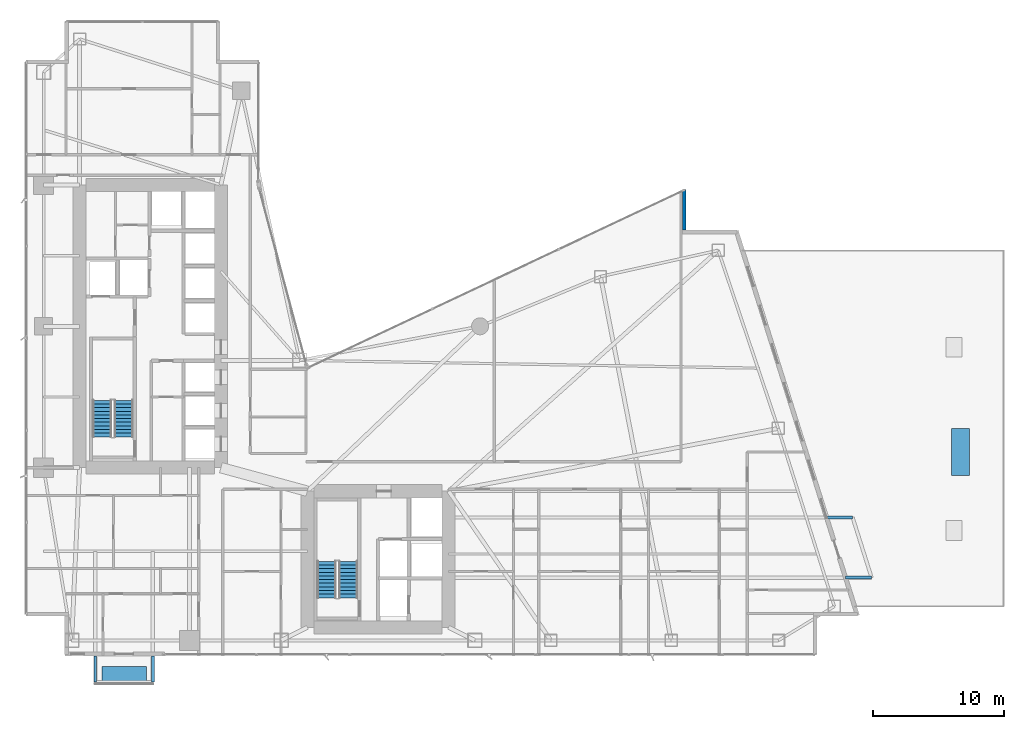
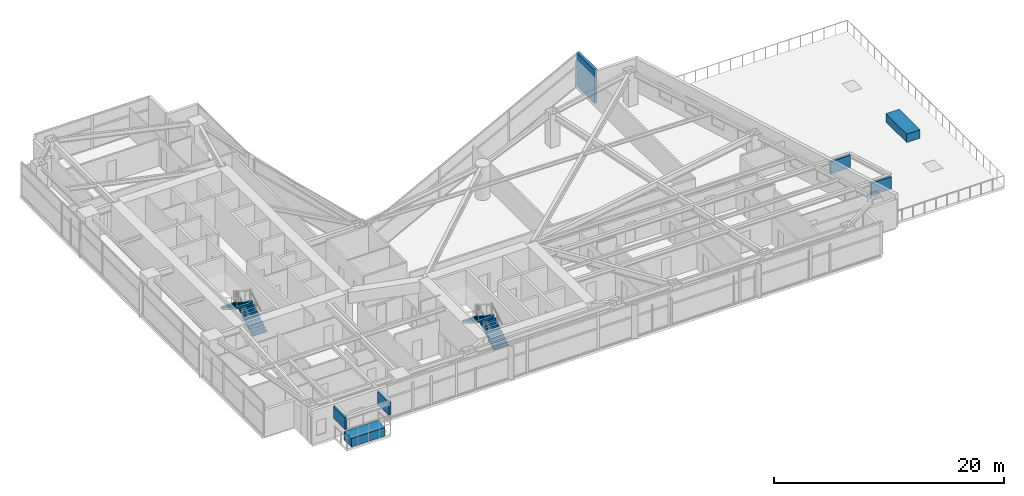
# One storey, part 26 of 30: 6 discrete accessories, 4 stair flights, 1 wall, 2 elements without a shape of their own.
"""IFC4 building model written with IfcOpenShell, lengths in metres."""

import ifcopenshell
import ifcopenshell.guid

model = None  # the IFC model being written
_history = None  # IfcOwnerHistory: only IFC2X3 demands one
_inside = {}  # id of a spatial element -> (the spatial element, [elements in it])
_under = {}  # id of a project, library or spatial element -> (it, [spatial elements below it])
_declared = {}  # id of a project -> (the project, [libraries it declares])
_typed = {}  # id of a type object -> (the type object, [elements of that type])
_made_of = {}  # id of a material, layer set ... -> (it, [elements and type objects made of it])


def new_model(schema):
    """Start an empty IFC model of exactly this schema.

    Asked for "IFC4X3", IfcOpenShell would pick the latest addendum, in which some entities
    have other attributes; the version numbers below select the first issue.
    IFC2X3 requires an IfcOwnerHistory on every rooted entity: one is made here for all.
    """
    global model, _history
    if schema == "IFC4X3":
        model = ifcopenshell.file(schema_version=(4, 3, 0, 0))
    else:
        model = ifcopenshell.file(schema=schema)
    _inside.clear()
    _under.clear()
    _declared.clear()
    _typed.clear()
    _made_of.clear()
    _history = None
    if model.schema == "IFC2X3":
        org = make("IfcOrganization", Name="unknown")
        user = make(
            "IfcPersonAndOrganization",
            ThePerson=make("IfcPerson", FamilyName="unknown"),
            TheOrganization=org,
        )
        app = make(
            "IfcApplication",
            ApplicationDeveloper=org,
            Version="unknown",
            ApplicationFullName="unknown",
            ApplicationIdentifier="unknown",
        )
        _history = make(
            "IfcOwnerHistory",
            OwningUser=user,
            OwningApplication=app,
            ChangeAction="ADDED",
            CreationDate=0,
        )
    return model


def make(cls, **values):
    """One entity of the class cls with the attributes given. An attribute that is None is left unset."""
    return model.create_entity(
        cls, **{name: value for name, value in values.items() if value is not None}
    )


def rooted(cls, **values):
    """An entity with a GlobalId (a new one), such as an element, a storey or a relation."""
    return make(cls, GlobalId=ifcopenshell.guid.new(), OwnerHistory=_history, **values)


def si_unit(unit_type, name, prefix=None):
    """IfcSIUnit, for example si_unit("LENGTHUNIT", "METRE", prefix="MILLI")."""
    return make("IfcSIUnit", UnitType=unit_type, Prefix=prefix, Name=name)


def assignment(units):
    """IfcUnitAssignment: the units of a project."""
    return None if units is None else make("IfcUnitAssignment", Units=units)


def point(xyz):
    """IfcCartesianPoint."""
    return None if xyz is None else make("IfcCartesianPoint", Coordinates=xyz)


def direction(xyz):
    """IfcDirection."""
    return None if xyz is None else make("IfcDirection", DirectionRatios=xyz)


def frame(location, z_axis=None, x_axis=None):
    """IfcAxis2Placement3D, a coordinate frame: its origin and axes. An axis left out is left unset."""
    return make(
        "IfcAxis2Placement3D",
        Location=point(location),
        Axis=direction(z_axis),
        RefDirection=direction(x_axis),
    )


def frame_2d(location, x_axis=None):
    """IfcAxis2Placement2D, a coordinate frame in the plane: its origin and x axis."""
    return make(
        "IfcAxis2Placement2D", Location=point(location), RefDirection=direction(x_axis)
    )


def origin():
    """The frame at (0, 0, 0) with its axes left unset."""
    return frame((0.0, 0.0, 0.0))


def origin_2d():
    """The frame at (0, 0) in the plane with its x axis left unset."""
    return frame_2d((0.0, 0.0))


def place(relative_to, where):
    """IfcLocalPlacement: puts the frame where relative to a parent placement (None: the world)."""
    return make(
        "IfcLocalPlacement", PlacementRelTo=relative_to, RelativePlacement=where
    )


def context(
    kind, dimensions, precision=None, world=None, true_north=None, identifier=None
):
    """IfcGeometricRepresentationContext, for example the 3D "Model" context."""
    return make(
        "IfcGeometricRepresentationContext",
        ContextIdentifier=identifier,
        ContextType=kind,
        CoordinateSpaceDimension=dimensions,
        Precision=precision,
        WorldCoordinateSystem=world,
        TrueNorth=true_north,
    )


def subcontext(parent, identifier, kind, view, scale=None):
    """IfcGeometricRepresentationSubContext, for example "Body" below "Model"."""
    return make(
        "IfcGeometricRepresentationSubContext",
        ContextIdentifier=identifier,
        ContextType=kind,
        ParentContext=parent,
        TargetScale=scale,
        TargetView=view,
    )


def project(units=None, contexts=None):
    """IfcProject with its units and contexts."""
    return rooted(
        "IfcProject",
        Name="project",
        RepresentationContexts=contexts,
        UnitsInContext=assignment(units),
    )


def spatial(cls, under=None, at=None, **own):
    """A site, building, storey or space (cls), placed at a placement, below another one or the project."""
    s = rooted(cls, ObjectPlacement=at, **own)
    if under is not None:
        _under.setdefault(under.id(), (under, []))[1].append(s)
    return s


def polyline(points):
    """IfcPolyline through the points."""
    return make("IfcPolyline", Points=[point(p) for p in points])


def profile(cls, at=None, kind="AREA", **sizes):
    """A parametric profile (cls). Its sizes go by their IFC names, for example OverallWidth=200.0."""
    return make(cls, ProfileType=kind, Position=at, **sizes)


def rectangle(**sizes):
    """IfcRectangleProfileDef."""
    return profile("IfcRectangleProfileDef", **sizes)


def outline(outer, holes=None, kind="AREA"):
    """IfcArbitraryClosedProfileDef: a profile drawn as a closed curve; with holes, ...WithVoids."""
    if holes is None:
        return make("IfcArbitraryClosedProfileDef", ProfileType=kind, OuterCurve=outer)
    return make(
        "IfcArbitraryProfileDefWithVoids",
        ProfileType=kind,
        OuterCurve=outer,
        InnerCurves=holes,
    )


def extrude(swept, where, along, depth):
    """IfcExtrudedAreaSolid: the profile swept, set in the frame where, extruded along a direction by depth."""
    return make(
        "IfcExtrudedAreaSolid",
        SweptArea=swept,
        Position=where,
        ExtrudedDirection=direction(along),
        Depth=depth,
    )


def shape(context_of_items, identifier, shape_type, items):
    """IfcShapeRepresentation: the items that make up one representation, for example the "Body"."""
    return make(
        "IfcShapeRepresentation",
        ContextOfItems=context_of_items,
        RepresentationIdentifier=identifier,
        RepresentationType=shape_type,
        Items=items,
    )


def material(Name=None, Category=None):
    """IfcMaterial."""
    return make("IfcMaterial", Name=Name, Category=Category)


def layer(
    of_material, thickness, ventilated=None, Name=None, Category=None, Priority=None
):
    """IfcMaterialLayer: one layer of a wall or slab, of a material (None: an air gap)."""
    return make(
        "IfcMaterialLayer",
        Material=of_material,
        LayerThickness=thickness,
        IsVentilated=ventilated,
        Name=Name,
        Category=Category,
        Priority=Priority,
    )


def layer_set(layers, Name=None):
    """IfcMaterialLayerSet."""
    return make("IfcMaterialLayerSet", MaterialLayers=layers, LayerSetName=Name)


def made_of(thing, what):
    """Note that an element or type object is made of a material, layer set ...; save() writes the relation."""
    if what is not None:
        _made_of.setdefault(what.id(), (what, []))[1].append(thing)
    return thing


def type_object(cls, material=None, **own):
    """A type object (cls), such as IfcWallType, which elements share."""
    return made_of(rooted(cls, **own), material)


def element(
    cls,
    number,
    at=None,
    inside=None,
    cuts=None,
    type_object=None,
    material=None,
    context=None,
    identifier="Body",
    shape_type=None,
    held_by="IfcProductDefinitionShape",
    body=None,
    shapes=None,
    **own,
):
    """One element of the class cls, such as IfcWall. Its Tag is "e" and its number.

    at: its placement. inside: the storey or other place that contains it. cuts: it is an
    opening in that element (IfcRelVoidsElement). A single representation is given by context,
    identifier, shape_type and body (its items); several are given by shapes. held_by: the class
    of the entity that holds the representations. save() writes the other relations.
    """
    e = rooted(cls, Tag="e%d" % number, ObjectPlacement=at, **own)
    if body is not None:
        shapes = [shape(context, identifier, shape_type, body)]
    if shapes is not None:
        e.Representation = make(held_by, Representations=shapes)
    if inside is not None:
        _inside.setdefault(inside.id(), (inside, []))[1].append(e)
    if cuts is not None:
        rooted(
            "IfcRelVoidsElement", RelatingBuildingElement=cuts, RelatedOpeningElement=e
        )
    if type_object is not None:
        _typed.setdefault(type_object.id(), (type_object, []))[1].append(e)
    return made_of(e, material)


def aggregate(whole, parts):
    """IfcRelAggregates: a whole, such as a stair, and the parts it consists of."""
    return rooted("IfcRelAggregates", RelatingObject=whole, RelatedObjects=parts)


def save(model, path):
    """Write the relations noted so far, then the file.

    IfcRelAggregates (storeys below a building ...), IfcRelContainedInSpatialStructure (elements
    in a storey), IfcRelDefinesByType, IfcRelAssociatesMaterial and IfcRelDeclares: one each for
    every whole, place, type object, material and project.
    """
    for whole, parts in _under.values():
        aggregate(whole, parts)
    for where, things in _inside.values():
        rooted(
            "IfcRelContainedInSpatialStructure",
            RelatedElements=things,
            RelatingStructure=where,
        )
    for kind, things in _typed.values():
        rooted("IfcRelDefinesByType", RelatedObjects=things, RelatingType=kind)
    for what, things in _made_of.values():
        rooted("IfcRelAssociatesMaterial", RelatedObjects=things, RelatingMaterial=what)
    for by, libraries in _declared.values():
        rooted("IfcRelDeclares", RelatingContext=by, RelatedDefinitions=libraries)
    model.write(path)


model = new_model("IFC4")

# Units and contexts
model_context = context("Model", 3, precision=1e-05, world=origin(), true_north=direction((0.0, 1.0)))
body_context = subcontext(model_context, "Body", "Model", "MODEL_VIEW")
ifc_project = project(units=[si_unit("LENGTHUNIT", "METRE"), si_unit("AREAUNIT", "SQUARE_METRE"), si_unit("VOLUMEUNIT", "CUBIC_METRE"), si_unit("PLANEANGLEUNIT", "RADIAN"), si_unit("MASSUNIT", "GRAM", prefix="KILO")], contexts=[model_context])

# Site, building, storey
site_placement = place(None, origin())
site = spatial("IfcSite", under=ifc_project, at=site_placement, CompositionType="ELEMENT")
building_placement = place(site_placement, origin())
building = spatial("IfcBuilding", under=site, at=building_placement, Name="Calvorn Quay Hotel", CompositionType="ELEMENT")
storey_placement = place(building_placement, frame((0.0, 0.0, 27.0)))
storey = spatial("IfcBuildingStorey", under=building, at=storey_placement, Name="L05", CompositionType="ELEMENT", Elevation=27.0)

# Wall
ifc_material_1 = material(Name="Concrete C40", Category="concrete")
ifc_layer = layer(ifc_material_1, 0.320068359375)
ifc_layer_set = layer_set([ifc_layer], Name="WL-EXT-SPANDREL-320")
wall_type = type_object("IfcWallType", Name="WL-EXT-SPANDREL-320", PredefinedType="SOLIDWALL", material=ifc_layer_set)
wall_placement = place(storey_placement, frame((50.39990234375, 34.93994140625, 0.0), z_axis=(0.0, 0.0, 1.0), x_axis=(0.0, 1.0, 0.0)))
element("IfcWall", 1, at=wall_placement, inside=storey, type_object=wall_type, Name="Notched Corner Spandrel L05-NE2", PredefinedType="SOLIDWALL", context=body_context, shape_type="SweptSolid", body=[
    extrude(rectangle(XDim=3.10009765625, YDim=0.280029296875, at=frame_2d((1.550048828125, 0.0))), origin(), (0.0, 0.0, 1.0), 3.56005859375),
])

# Stair, stair flights
ifc_material_2 = material(Name="Concrete C40", Category="concrete")
stair_type = type_object("IfcStairType", Name="STR-CORE-DOGLEG", PredefinedType="HALF_TURN_STAIR", material=ifc_material_2)
stair_1_placement = place(storey_placement, origin())
stair_1 = element("IfcStair", 2, at=stair_1_placement, inside=storey, type_object=stair_type, Name="L05 ST-W", PredefinedType="HALF_TURN_STAIR")
ifc_material_3 = material(Name="Concrete C40", Category="concrete")
stair_flight_type = type_object("IfcStairFlightType", Name="FLT-CORE-1550", PredefinedType="STRAIGHT", material=ifc_material_3)
stair_flight_1_placement = place(storey_placement, frame((7.574951171875, 19.14990234375, 0.0), z_axis=(0.0, 0.0, 1.0), x_axis=(0.0, 1.0, 0.0)))
stair_flight_1 = element("IfcStairFlight", 3, at=stair_flight_1_placement, type_object=stair_flight_type, Name="ST-W flight 1", NumberOfRisers=11, NumberOfTreads=10, PredefinedType="STRAIGHT", RiserHeight=0.172727273, TreadLength=0.28, context=body_context, shape_type="SweptSolid", body=[
    extrude(outline(polyline([(0.0, 0.0), (0.0, 0.172607421875), (0.280029296875, 0.172607421875), (0.280029296875, 0.345458984375), (0.56005859375, 0.345458984375), (0.56005859375, 0.51806640625), (0.840087890625, 0.51806640625), (0.840087890625, 0.69091796875), (1.1201171875, 0.69091796875), (1.1201171875, 0.863525390625), (1.39990234375, 0.863525390625), (1.39990234375, 1.036376953125), (1.679931640625, 1.036376953125), (1.679931640625, 1.208984375), (1.9599609375, 1.208984375), (1.9599609375, 1.3818359375), (2.239990234375, 1.3818359375), (2.239990234375, 1.554443359375), (2.52001953125, 1.554443359375), (2.52001953125, 1.727294921875), (2.800048828125, 1.727294921875), (2.800048828125, 1.89990234375), (2.800048828125, 1.551025390625), (0.285400390625, 0.0), (0.0, 0.0)])), frame((0.0, 0.72509765625, 0.0), z_axis=(0.0, -1.0, 0.0), x_axis=(1.0, 0.0, 0.0)), (0.0, 0.0, 1.0), 1.449951171875),
])
stair_flight_2_placement = place(storey_placement, frame((5.925048828125, 21.949951171875, 1.89990234375), z_axis=(0.0, 0.0, 1.0), x_axis=(0.0, -1.0, 0.0)))
stair_flight_2 = element("IfcStairFlight", 4, at=stair_flight_2_placement, type_object=stair_flight_type, Name="ST-W flight 2", NumberOfRisers=11, NumberOfTreads=10, PredefinedType="STRAIGHT", RiserHeight=0.172727273, TreadLength=0.28, context=body_context, shape_type="SweptSolid", body=[
    extrude(outline(polyline([(0.0, 0.0), (0.0, 0.172607421875), (0.280029296875, 0.172607421875), (0.280029296875, 0.345458984375), (0.56005859375, 0.345458984375), (0.56005859375, 0.51806640625), (0.840087890625, 0.51806640625), (0.840087890625, 0.69091796875), (1.1201171875, 0.69091796875), (1.1201171875, 0.863525390625), (1.39990234375, 0.863525390625), (1.39990234375, 1.036376953125), (1.679931640625, 1.036376953125), (1.679931640625, 1.208984375), (1.9599609375, 1.208984375), (1.9599609375, 1.3818359375), (2.239990234375, 1.3818359375), (2.239990234375, 1.554443359375), (2.52001953125, 1.554443359375), (2.52001953125, 1.727294921875), (2.800048828125, 1.727294921875), (2.800048828125, 1.89990234375), (2.800048828125, 1.551025390625), (0.285400390625, 0.0), (0.0, 0.0)])), frame((0.0, 0.72509765625, 0.0), z_axis=(0.0, -1.0, 0.0), x_axis=(1.0, 0.0, 0.0)), (0.0, 0.0, 1.0), 1.449951171875),
])
aggregate(stair_1, [stair_flight_1, stair_flight_2])

stair_2_placement = place(storey_placement, origin())
stair_2 = element("IfcStair", 5, at=stair_2_placement, inside=storey, type_object=stair_type, Name="L05 ST-E", PredefinedType="HALF_TURN_STAIR")
stair_flight_3_placement = place(storey_placement, frame((24.72509765625, 6.85009765625, 0.0), z_axis=(0.0, 0.0, 1.0), x_axis=(0.0, 1.0, 0.0)))
stair_flight_3 = element("IfcStairFlight", 6, at=stair_flight_3_placement, type_object=stair_flight_type, Name="ST-E flight 1", NumberOfRisers=11, NumberOfTreads=10, PredefinedType="STRAIGHT", RiserHeight=0.172727273, TreadLength=0.28, context=body_context, shape_type="SweptSolid", body=[
    extrude(outline(polyline([(0.0, 0.0), (0.0, 0.172607421875), (0.280029296875, 0.172607421875), (0.280029296875, 0.345458984375), (0.56005859375, 0.345458984375), (0.56005859375, 0.51806640625), (0.840087890625, 0.51806640625), (0.840087890625, 0.69091796875), (1.1201171875, 0.69091796875), (1.1201171875, 0.863525390625), (1.39990234375, 0.863525390625), (1.39990234375, 1.036376953125), (1.679931640625, 1.036376953125), (1.679931640625, 1.208984375), (1.9599609375, 1.208984375), (1.9599609375, 1.3818359375), (2.239990234375, 1.3818359375), (2.239990234375, 1.554443359375), (2.52001953125, 1.554443359375), (2.52001953125, 1.727294921875), (2.800048828125, 1.727294921875), (2.800048828125, 1.89990234375), (2.800048828125, 1.551025390625), (0.285400390625, 0.0), (0.0, 0.0)])), frame((0.0, 0.72509765625, 0.0), z_axis=(0.0, -1.0, 0.0), x_axis=(1.0, 0.0, 0.0)), (0.0, 0.0, 1.0), 1.449951171875),
])
stair_flight_4_placement = place(storey_placement, frame((23.074951171875, 9.64990234375, 1.89990234375), z_axis=(0.0, 0.0, 1.0), x_axis=(0.0, -1.0, 0.0)))
stair_flight_4 = element("IfcStairFlight", 7, at=stair_flight_4_placement, type_object=stair_flight_type, Name="ST-E flight 2", NumberOfRisers=11, NumberOfTreads=10, PredefinedType="STRAIGHT", RiserHeight=0.172727273, TreadLength=0.28, context=body_context, shape_type="SweptSolid", body=[
    extrude(outline(polyline([(0.0, 0.0), (0.0, 0.172607421875), (0.280029296875, 0.172607421875), (0.280029296875, 0.345458984375), (0.56005859375, 0.345458984375), (0.56005859375, 0.51806640625), (0.840087890625, 0.51806640625), (0.840087890625, 0.69091796875), (1.1201171875, 0.69091796875), (1.1201171875, 0.863525390625), (1.39990234375, 0.863525390625), (1.39990234375, 1.036376953125), (1.679931640625, 1.036376953125), (1.679931640625, 1.208984375), (1.9599609375, 1.208984375), (1.9599609375, 1.3818359375), (2.239990234375, 1.3818359375), (2.239990234375, 1.554443359375), (2.52001953125, 1.554443359375), (2.52001953125, 1.727294921875), (2.800048828125, 1.727294921875), (2.800048828125, 1.89990234375), (2.800048828125, 1.551025390625), (0.285400390625, 0.0), (0.0, 0.0)])), frame((0.0, 0.72509765625, 0.0), z_axis=(0.0, -1.0, 0.0), x_axis=(1.0, 0.0, 0.0)), (0.0, 0.0, 1.0), 1.449951171875),
])
aggregate(stair_2, [stair_flight_3, stair_flight_4])

# Discrete accessories
ifc_material_4 = material(Name="Steel Q355B", Category="steel")
discrete_accessory_type_1 = type_object("IfcDiscreteAccessoryType", Name="ACC-BALC-STRUT", PredefinedType="BRACKET", material=ifc_material_4)
for number, where, z_axis, x_axis, name in (
    (8, (63.712890625, 8.39990234375, 2.01513671875), (0.0, 0.0, 1.0), (1.0, 0.0, 0.0), "Exterior Balcony Steel Bracket L06-BALC-E-A"),
    (9, (62.262939453125, 13.0, 2.01513671875), (0.0, 0.0, 1.0), (1.0, 0.0, 0.0), "Exterior Balcony Steel Bracket L06-BALC-E-B"),
):
    element("IfcDiscreteAccessory", number, at=place(storey_placement, frame(where, z_axis=z_axis, x_axis=x_axis)), inside=storey, type_object=discrete_accessory_type_1, Name=name, PredefinedType="BRACKET", context=body_context, shape_type="SweptSolid", body=[
        extrude(rectangle(XDim=1.989990234375, YDim=0.219970703125, at=origin_2d()), origin(), (0.0, 0.0, 1.0), 1.300048828125),
    ])
for number, where, z_axis, x_axis, name in (
    (10, (5.39990234375, 1.405029296875, 2.01513671875), (0.0, 0.0, 1.0), (1.0, 0.0, 0.0), "Exterior Balcony Steel Bracket L06-BALC-S-A"),
    (11, (9.800048828125, 1.405029296875, 2.01513671875), (0.0, 0.0, 1.0), (1.0, 0.0, 0.0), "Exterior Balcony Steel Bracket L06-BALC-S-B"),
):
    element("IfcDiscreteAccessory", number, at=place(storey_placement, frame(where, z_axis=z_axis, x_axis=x_axis)), inside=storey, type_object=discrete_accessory_type_1, Name=name, PredefinedType="BRACKET", context=body_context, shape_type="SweptSolid", body=[
        extrude(rectangle(XDim=0.219970703125, YDim=1.989990234375, at=origin_2d()), origin(), (0.0, 0.0, 1.0), 1.300048828125),
    ])
ifc_material_5 = material(Name="Precast concrete C40", Category="concrete")
discrete_accessory_type_2 = type_object("IfcDiscreteAccessoryType", Name="ACC-TREE-PLANTER", PredefinedType="USERDEFINED", material=ifc_material_5)
discrete_accessory_1_placement = place(storey_placement, frame((7.60009765625, 0.989990234375, 0.0), z_axis=(0.0, 0.0, 1.0), x_axis=(1.0, 0.0, 0.0)))
element("IfcDiscreteAccessory", 12, at=discrete_accessory_1_placement, inside=storey, type_object=discrete_accessory_type_2, Name="Subtropical Tree Structural Planter L05-BALC-S", ObjectType="PLANTER", PredefinedType="USERDEFINED", context=body_context, shape_type="SweptSolid", body=[
    extrude(rectangle(XDim=3.39990234375, YDim=1.25, at=origin_2d()), origin(), (0.0, 0.0, 1.0), 0.89990234375),
])
discrete_accessory_2_placement = place(storey_placement, frame((71.5, 18.0, 0.0), z_axis=(0.0, 0.0, 1.0), x_axis=(1.0, 0.0, 0.0)))
element("IfcDiscreteAccessory", 13, at=discrete_accessory_2_placement, inside=storey, type_object=discrete_accessory_type_2, Name="Podium Roof Garden Tree Planter", ObjectType="PLANTER", PredefinedType="USERDEFINED", context=body_context, shape_type="SweptSolid", body=[
    extrude(rectangle(XDim=1.35009765625, YDim=3.60009765625, at=origin_2d()), origin(), (0.0, 0.0, 1.0), 0.89990234375),
])

save(model, "model.ifc")
